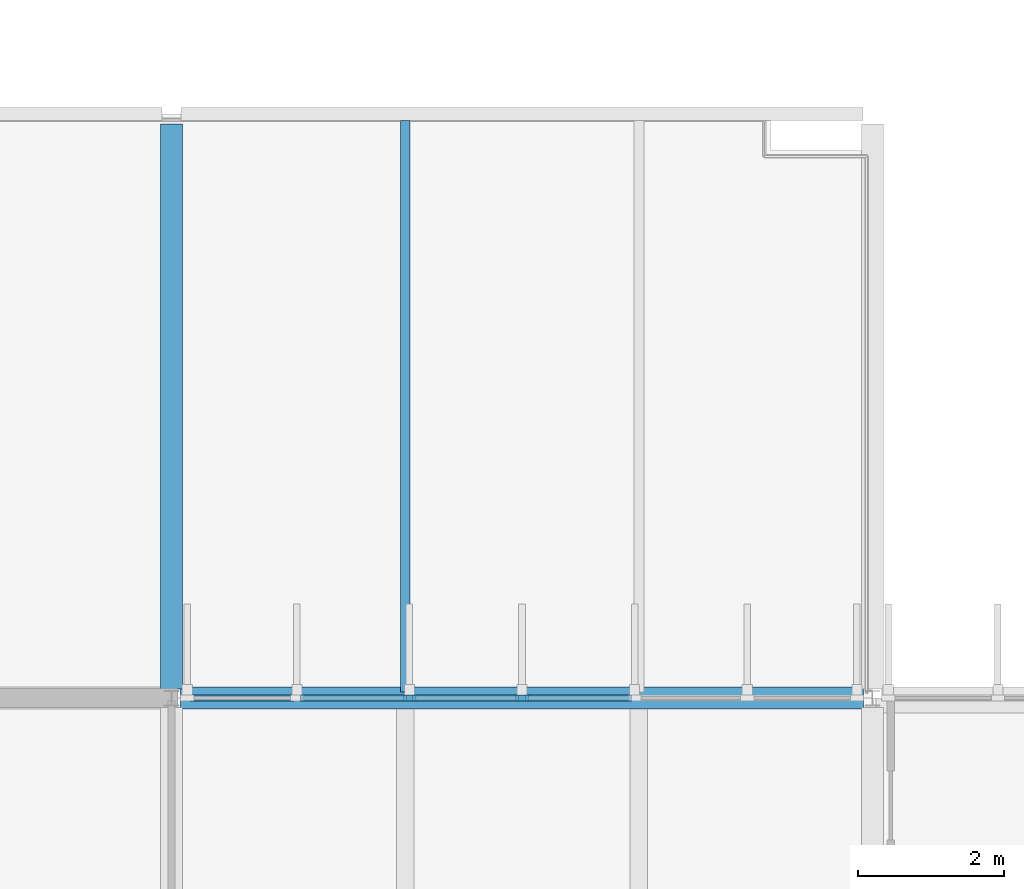
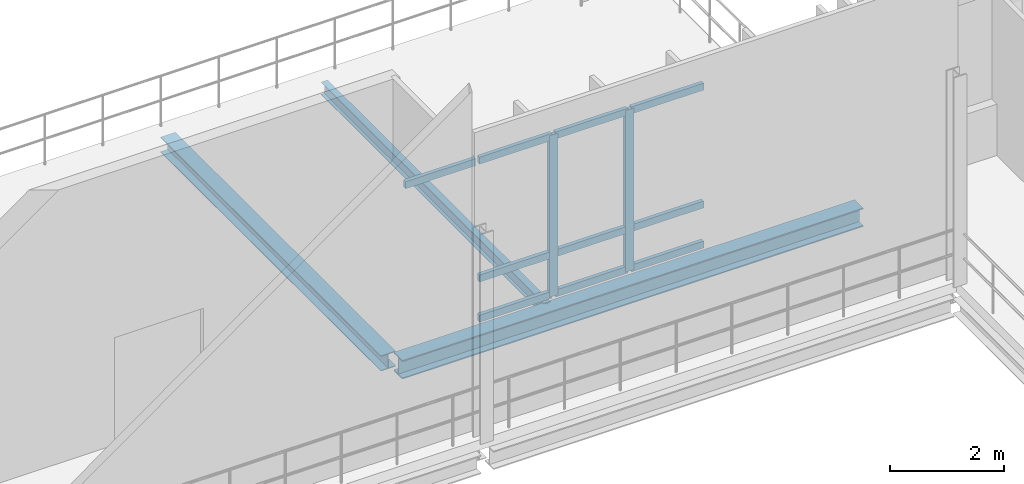
# One storey, part 13 of 41: 12 members, 3 beams, 1 element without a shape of its own.
"""IFC4 building model written with IfcOpenShell, lengths in metres."""

from ifc_helpers import new_model, si_unit, direction, frame, origin, origin_2d, place, context, subcontext, project, spatial, rectangle, i_section, extrude, material, material_profile, profile_set, type_object, element, aggregate, save


model = new_model("IFC4")

# Units and contexts
model_context = context("Model", 3, precision=1e-05, world=origin(), true_north=direction((0.0, 1.0)))
body_context = subcontext(model_context, "Body", "Model", "MODEL_VIEW")
ifc_project = project(units=[si_unit("LENGTHUNIT", "METRE"), si_unit("AREAUNIT", "SQUARE_METRE"), si_unit("VOLUMEUNIT", "CUBIC_METRE"), si_unit("PLANEANGLEUNIT", "RADIAN"), si_unit("MASSUNIT", "GRAM", prefix="KILO")], contexts=[model_context])

# Site, building, storey
site_placement = place(None, origin())
site = spatial("IfcSite", under=ifc_project, at=site_placement, CompositionType="ELEMENT")
building_placement = place(site_placement, origin())
building = spatial("IfcBuilding", under=site, at=building_placement, Name="Dunescarp Central Library", CompositionType="ELEMENT")
storey_placement = place(building_placement, frame((0.0, 0.0, 23.10009765625)))
storey = spatial("IfcBuildingStorey", under=building, at=storey_placement, Name="L05", CompositionType="ELEMENT", Elevation=23.10009765625)

# Curtain wall, members
ifc_material_1 = material(Name="Marine-grade anodised aluminium 6063-T6", Category="aluminium")
curtain_wall_type = type_object("IfcCurtainWallType", Name="ARC-CW-STICK", PredefinedType="NOTDEFINED", material=ifc_material_1)
curtain_wall_placement = place(storey_placement, origin())
curtain_wall = element("IfcCurtainWall", 1, at=curtain_wall_placement, inside=storey, type_object=curtain_wall_type, Name="L05 curtain wall CW-V2-078", PredefinedType="NOTDEFINED")
ifc_material_profile_1 = material_profile(ifc_material_1, rectangle(XDim=0.080078125, YDim=0.179931640625, at=origin_2d()), Name="AL 80x180")
ifc_profile_set_1 = profile_set([ifc_material_profile_1], Name="Marine-grade anodised aluminium 6063-T6")
member_type_1 = type_object("IfcMemberType", Name="ARC-CWM-180", PredefinedType="MULLION", material=ifc_profile_set_1)
member_1_placement = place(storey_placement, frame((60.8583984375, 28.800048828125, 0.0), z_axis=(0.0, 0.0, 1.0), x_axis=(0.0, 1.0, 0.0)))
member_1 = element("IfcMember", 2, at=member_1_placement, type_object=member_type_1, Name="CW-V2-078 mullion 3", PredefinedType="MULLION", context=body_context, shape_type="SweptSolid", body=[
    extrude(rectangle(XDim=0.080078125, YDim=0.179931640625, at=origin_2d()), origin(), (0.0, 0.0, 1.0), 3.4658203125),
])
member_2_placement = place(storey_placement, frame((62.39990234375, 28.800048828125, 0.0), z_axis=(0.0, 0.0, 1.0), x_axis=(0.0, 1.0, 0.0)))
member_2 = element("IfcMember", 3, at=member_2_placement, type_object=member_type_1, Name="CW-V2-078 mullion 4", PredefinedType="MULLION", context=body_context, shape_type="SweptSolid", body=[
    extrude(rectangle(XDim=0.080078125, YDim=0.179931640625, at=origin_2d()), origin(), (0.0, 0.0, 1.0), 3.4658203125),
])
ifc_material_profile_2 = material_profile(ifc_material_1, rectangle(XDim=0.080078125, YDim=0.14990234375, at=origin_2d()), Name="AL 80x150")
ifc_profile_set_2 = profile_set([ifc_material_profile_2], Name="Marine-grade anodised aluminium 6063-T6")
member_type_2 = type_object("IfcMemberType", Name="ARC-CWT-150", PredefinedType="USERDEFINED", material=ifc_profile_set_2)
member_3_placement = place(storey_placement, frame((57.85498046875, 28.800048828125, 3.42578125), z_axis=(1.0, 0.0, 0.0), x_axis=(0.0, 1.0, 0.0)))
member_3 = element("IfcMember", 4, at=member_3_placement, type_object=member_type_2, Name="CW-V2-078 transom 1.3", ObjectType="TRANSOM", PredefinedType="USERDEFINED", context=body_context, shape_type="SweptSolid", body=[
    extrude(rectangle(XDim=0.080078125, YDim=0.14990234375, at=origin_2d()), origin(), (0.0, 0.0, 1.0), 1.421630859375),
])
member_4_placement = place(storey_placement, frame((59.356689453125, 28.800048828125, 0.039794921875), z_axis=(1.0, 0.0, 0.0), x_axis=(0.0, 1.0, 0.0)))
member_4 = element("IfcMember", 5, at=member_4_placement, type_object=member_type_2, Name="CW-V2-078 transom 2.1", ObjectType="TRANSOM", PredefinedType="USERDEFINED", context=body_context, shape_type="SweptSolid", body=[
    extrude(rectangle(XDim=0.080078125, YDim=0.14990234375, at=origin_2d()), origin(), (0.0, 0.0, 1.0), 1.461669921875),
])
member_5_placement = place(storey_placement, frame((59.356689453125, 28.800048828125, 0.89990234375), z_axis=(1.0, 0.0, 0.0), x_axis=(0.0, 1.0, 0.0)))
member_5 = element("IfcMember", 6, at=member_5_placement, type_object=member_type_2, Name="CW-V2-078 transom 2.2", ObjectType="TRANSOM", PredefinedType="USERDEFINED", context=body_context, shape_type="SweptSolid", body=[
    extrude(rectangle(XDim=0.080078125, YDim=0.14990234375, at=origin_2d()), origin(), (0.0, 0.0, 1.0), 1.461669921875),
])
member_6_placement = place(storey_placement, frame((59.356689453125, 28.800048828125, 3.42578125), z_axis=(1.0, 0.0, 0.0), x_axis=(0.0, 1.0, 0.0)))
member_6 = element("IfcMember", 7, at=member_6_placement, type_object=member_type_2, Name="CW-V2-078 transom 2.3", ObjectType="TRANSOM", PredefinedType="USERDEFINED", context=body_context, shape_type="SweptSolid", body=[
    extrude(rectangle(XDim=0.080078125, YDim=0.14990234375, at=origin_2d()), origin(), (0.0, 0.0, 1.0), 1.461669921875),
])
member_7_placement = place(storey_placement, frame((60.8984375, 28.800048828125, 0.039794921875), z_axis=(1.0, 0.0, 0.0), x_axis=(0.0, 1.0, 0.0)))
member_7 = element("IfcMember", 8, at=member_7_placement, type_object=member_type_2, Name="CW-V2-078 transom 3.1", ObjectType="TRANSOM", PredefinedType="USERDEFINED", context=body_context, shape_type="SweptSolid", body=[
    extrude(rectangle(XDim=0.080078125, YDim=0.14990234375, at=origin_2d()), origin(), (0.0, 0.0, 1.0), 1.461669921875),
])
member_8_placement = place(storey_placement, frame((60.8984375, 28.800048828125, 0.89990234375), z_axis=(1.0, 0.0, 0.0), x_axis=(0.0, 1.0, 0.0)))
member_8 = element("IfcMember", 9, at=member_8_placement, type_object=member_type_2, Name="CW-V2-078 transom 3.2", ObjectType="TRANSOM", PredefinedType="USERDEFINED", context=body_context, shape_type="SweptSolid", body=[
    extrude(rectangle(XDim=0.080078125, YDim=0.14990234375, at=origin_2d()), origin(), (0.0, 0.0, 1.0), 1.461669921875),
])
member_9_placement = place(storey_placement, frame((60.8984375, 28.800048828125, 3.42578125), z_axis=(1.0, 0.0, 0.0), x_axis=(0.0, 1.0, 0.0)))
member_9 = element("IfcMember", 10, at=member_9_placement, type_object=member_type_2, Name="CW-V2-078 transom 3.3", ObjectType="TRANSOM", PredefinedType="USERDEFINED", context=body_context, shape_type="SweptSolid", body=[
    extrude(rectangle(XDim=0.080078125, YDim=0.14990234375, at=origin_2d()), origin(), (0.0, 0.0, 1.0), 1.461669921875),
])
member_10_placement = place(storey_placement, frame((62.43994140625, 28.800048828125, 0.039794921875), z_axis=(1.0, 0.0, 0.0), x_axis=(0.0, 1.0, 0.0)))
member_10 = element("IfcMember", 11, at=member_10_placement, type_object=member_type_2, Name="CW-V2-078 transom 4.1", ObjectType="TRANSOM", PredefinedType="USERDEFINED", context=body_context, shape_type="SweptSolid", body=[
    extrude(rectangle(XDim=0.080078125, YDim=0.14990234375, at=origin_2d()), origin(), (0.0, 0.0, 1.0), 1.461669921875),
])
member_11_placement = place(storey_placement, frame((62.43994140625, 28.800048828125, 0.89990234375), z_axis=(1.0, 0.0, 0.0), x_axis=(0.0, 1.0, 0.0)))
member_11 = element("IfcMember", 12, at=member_11_placement, type_object=member_type_2, Name="CW-V2-078 transom 4.2", ObjectType="TRANSOM", PredefinedType="USERDEFINED", context=body_context, shape_type="SweptSolid", body=[
    extrude(rectangle(XDim=0.080078125, YDim=0.14990234375, at=origin_2d()), origin(), (0.0, 0.0, 1.0), 1.461669921875),
])
member_12_placement = place(storey_placement, frame((62.43994140625, 28.800048828125, 3.42578125), z_axis=(1.0, 0.0, 0.0), x_axis=(0.0, 1.0, 0.0)))
member_12 = element("IfcMember", 13, at=member_12_placement, type_object=member_type_2, Name="CW-V2-078 transom 4.3", ObjectType="TRANSOM", PredefinedType="USERDEFINED", context=body_context, shape_type="SweptSolid", body=[
    extrude(rectangle(XDim=0.080078125, YDim=0.14990234375, at=origin_2d()), origin(), (0.0, 0.0, 1.0), 1.461669921875),
])
aggregate(curtain_wall, [member_1, member_2, member_3, member_4, member_5, member_6, member_7, member_8, member_9, member_10, member_11, member_12])

# Beams
ifc_material_2 = material(Name="Steel S355JR", Category="steel")
ifc_material_profile_3 = material_profile(ifc_material_2, i_section(OverallWidth=0.300048828125, OverallDepth=0.330078125, WebThickness=0.009521484375, FlangeThickness=0.0166015625, at=origin_2d()), Name="HEA 340")
ifc_profile_set_3 = profile_set([ifc_material_profile_3], Name="Steel S355JR")
beam_type_1 = type_object("IfcBeamType", Name="STR-BM-HEA340", PredefinedType="BEAM", material=ifc_profile_set_3)
beam_1_placement = place(storey_placement, frame((57.60009765625, 28.927001953125, -0.35498046875), z_axis=(0.0, 1.0, 0.0), x_axis=(-1.0, 0.0, 0.0)))
element("IfcBeam", 14, at=beam_1_placement, inside=storey, type_object=beam_type_1, Name="L05 girder BM-L05-1521", PredefinedType="BEAM", context=body_context, shape_type="SweptSolid", body=[
    extrude(i_section(OverallWidth=0.300048828125, OverallDepth=0.330078125, WebThickness=0.009521484375, FlangeThickness=0.0166015625, at=origin_2d()), origin(), (0.0, 0.0, 1.0), 7.738037109375),
])
ifc_material_profile_4 = material_profile(ifc_material_2, i_section(OverallWidth=0.300048828125, OverallDepth=0.39990234375, WebThickness=0.013427734375, FlangeThickness=0.02392578125, at=origin_2d()), Name="HEB 400")
ifc_profile_set_4 = profile_set([ifc_material_profile_4], Name="Steel S355JR")
beam_type_2 = type_object("IfcBeamType", Name="STR-BM-HEB400", PredefinedType="BEAM", material=ifc_profile_set_4)
beam_2_placement = place(storey_placement, frame((57.72509765625, 28.800048828125, -0.420166015625), z_axis=(1.0, 0.0, 0.0), x_axis=(0.0, 1.0, 0.0)))
element("IfcBeam", 15, at=beam_2_placement, inside=storey, type_object=beam_type_2, Name="L05 girder BM-L05-0638", PredefinedType="BEAM", context=body_context, shape_type="SweptSolid", body=[
    extrude(i_section(OverallWidth=0.300048828125, OverallDepth=0.39990234375, WebThickness=0.013427734375, FlangeThickness=0.02392578125, at=origin_2d()), origin(), (0.0, 0.0, 1.0), 9.349853515625),
])
ifc_material_profile_5 = material_profile(ifc_material_2, i_section(OverallWidth=0.135009765625, OverallDepth=0.27001953125, WebThickness=0.006591796875, FlangeThickness=0.01025390625, at=origin_2d()), Name="IPE 270")
ifc_profile_set_5 = profile_set([ifc_material_profile_5], Name="Steel S355JR")
beam_type_3 = type_object("IfcBeamType", Name="STR-JS-IPE270", PredefinedType="JOIST", material=ifc_profile_set_5)
beam_3_placement = place(storey_placement, frame((60.800048828125, 28.886962890625, -0.3251953125), z_axis=(0.0, 1.0, 0.0), x_axis=(-1.0, 0.0, 0.0)))
element("IfcBeam", 16, at=beam_3_placement, inside=storey, type_object=beam_type_3, Name="L05 joist JS-L05-1526", PredefinedType="JOIST", context=body_context, shape_type="SweptSolid", body=[
    extrude(i_section(OverallWidth=0.135009765625, OverallDepth=0.27001953125, WebThickness=0.006591796875, FlangeThickness=0.01025390625, at=origin_2d()), origin(), (0.0, 0.0, 1.0), 7.825927734375),
])

save(model, "model.ifc")
